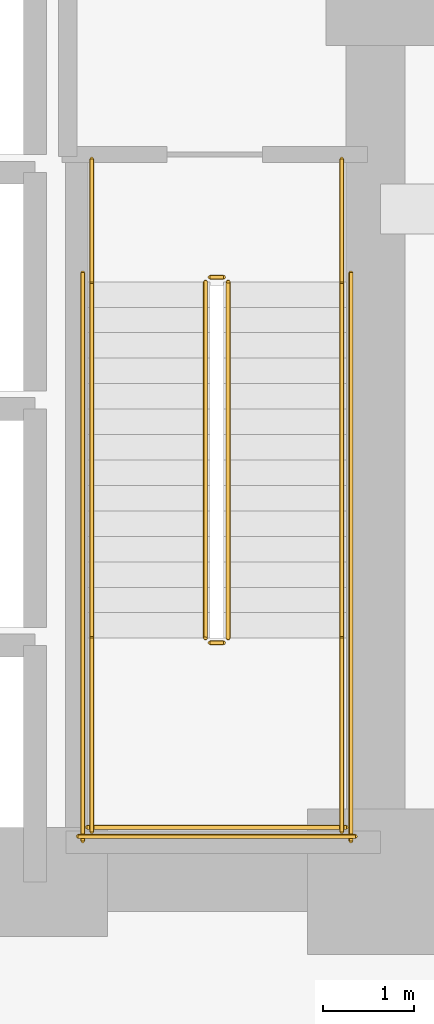
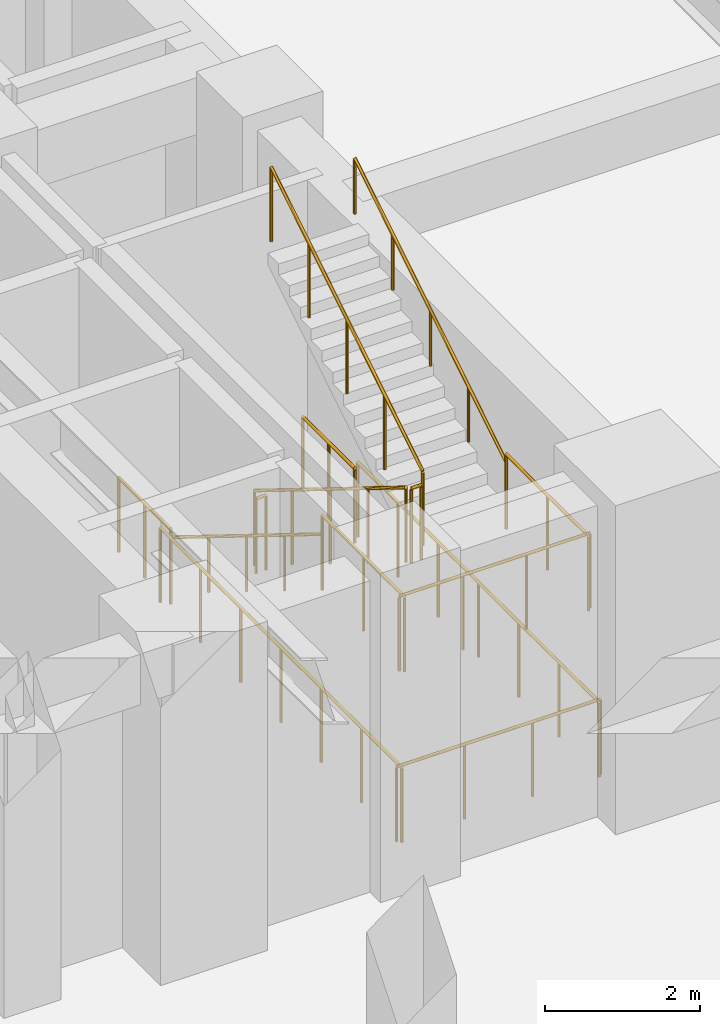
# One storey, part 7 of 7: 14 railings.
"""IFC4 building model written with IfcOpenShell, lengths in metres."""

from ifc_helpers import new_model, si_unit, direction, frame, origin, origin_2d, place, context, subcontext, project, spatial, circle, extrude, material, type_object, element, save


model = new_model("IFC4")

# Units and contexts
model_context = context("Model", 3, precision=1e-05, world=origin(), true_north=direction((0.0, 1.0)))
body_context = subcontext(model_context, "Body", "Model", "MODEL_VIEW")
ifc_project = project(units=[si_unit("LENGTHUNIT", "METRE"), si_unit("AREAUNIT", "SQUARE_METRE"), si_unit("VOLUMEUNIT", "CUBIC_METRE"), si_unit("PLANEANGLEUNIT", "RADIAN"), si_unit("MASSUNIT", "GRAM", prefix="KILO")], contexts=[model_context])

# Site, building, storey
site_placement = place(None, origin())
site = spatial("IfcSite", under=ifc_project, at=site_placement, CompositionType="ELEMENT")
building_placement = place(site_placement, origin())
building = spatial("IfcBuilding", under=site, at=building_placement, Name="Voryun Gate Residences", CompositionType="ELEMENT")
storey_placement = place(building_placement, frame((0.0, 0.0, -5.199951171875)))
storey = spatial("IfcBuildingStorey", under=building, at=storey_placement, Name="B01", CompositionType="ELEMENT", Elevation=-5.199951171875)

# Railings
ifc_material_1 = material(Name="Painted steel", Category="steel")
railing_type_1 = type_object("IfcRailingType", Name="RAIL_STAIR_GUARD_1200", PredefinedType="GUARDRAIL", material=ifc_material_1)
railing_1_placement = place(storey_placement, frame((17.27490234375, -0.800048828125, 0.17333984375)))
element("IfcRailing", 1, at=railing_1_placement, inside=storey, type_object=railing_type_1, Name="B01 ST-E1 stair guard 1", PredefinedType="GUARDRAIL", context=body_context, shape_type="SweptSolid", body=[
    extrude(circle(Radius=0.02392578125, at=origin_2d()), frame((0.0, 0.0, 1.17578125), z_axis=(0.0, -0.850275303828, 0.526338206574), x_axis=(1.0, 0.0, 0.0)), (0.0, 0.0, 1.0), 4.610107421875),
    extrude(circle(Radius=0.02099609375, at=origin_2d()), origin(), (0.0, 0.0, 1.0), 1.15185546875),
    extrude(circle(Radius=0.02099609375, at=origin_2d()), frame((0.0, -0.97998046875, 0.606689453125)), (0.0, 0.0, 1.0), 1.15185546875),
    extrude(circle(Radius=0.02099609375, at=origin_2d()), frame((0.0, -1.9599609375, 1.21337890625)), (0.0, 0.0, 1.0), 1.15185546875),
    extrude(circle(Radius=0.02099609375, at=origin_2d()), frame((0.0, -2.93994140625, 1.81982421875)), (0.0, 0.0, 1.0), 1.15185546875),
    extrude(circle(Radius=0.02099609375, at=origin_2d()), frame((0.0, -3.919921875, 2.426513671875)), (0.0, 0.0, 1.0), 1.15185546875),
])
railing_2_placement = place(storey_placement, frame((17.324951171875, -4.77001953125, 2.599853515625)))
element("IfcRailing", 2, at=railing_2_placement, inside=storey, type_object=railing_type_1, Name="B01 ST-E1 stair guard 2", PredefinedType="GUARDRAIL", context=body_context, shape_type="SweptSolid", body=[
    extrude(circle(Radius=0.02392578125, at=origin_2d()), frame((0.0, 0.0, 1.17578125), z_axis=(1.0, 0.0, 0.0), x_axis=(0.0, 1.0, 0.0)), (0.0, 0.0, 1.0), 0.150146484375),
    extrude(circle(Radius=0.02099609375, at=origin_2d()), origin(), (0.0, 0.0, 1.0), 1.15185546875),
    extrude(circle(Radius=0.02099609375, at=origin_2d()), frame((0.150146484375, 0.0, 0.0)), (0.0, 0.0, 1.0), 1.15185546875),
])
for number, where, name in (
    (3, (16.02490234375, -4.719970703125, 2.599853515625), "B01 ST-E1 stair guard 3"),
    (4, (18.77490234375, -4.719970703125, 2.599853515625), "B01 ST-E1 stair guard 4"),
):
    element("IfcRailing", number, at=place(storey_placement, frame(where)), inside=storey, type_object=railing_type_1, Name=name, PredefinedType="GUARDRAIL", context=body_context, shape_type="SweptSolid", body=[
        extrude(circle(Radius=0.02392578125, at=origin_2d()), frame((0.0, 0.0, 1.17578125), z_axis=(0.0, -1.0, 0.0), x_axis=(1.0, 0.0, 0.0)), (0.0, 0.0, 1.0), 2.130126953125),
        extrude(circle(Radius=0.02099609375, at=origin_2d()), origin(), (0.0, 0.0, 1.0), 1.15185546875),
        extrude(circle(Radius=0.02099609375, at=origin_2d()), frame((0.0, -1.06494140625, 0.0)), (0.0, 0.0, 1.0), 1.15185546875),
        extrude(circle(Radius=0.02099609375, at=origin_2d()), frame((0.0, -2.130126953125, 0.0)), (0.0, 0.0, 1.0), 1.15185546875),
    ])
railing_3_placement = place(storey_placement, frame((15.97509765625, -6.800048828125, 2.599853515625)))
element("IfcRailing", 5, at=railing_3_placement, inside=storey, type_object=railing_type_1, Name="B01 ST-E1 stair guard 5", PredefinedType="GUARDRAIL", context=body_context, shape_type="SweptSolid", body=[
    extrude(circle(Radius=0.02392578125, at=origin_2d()), frame((0.0, 0.0, 1.17578125), z_axis=(1.0, 0.0, 0.0), x_axis=(0.0, 1.0, 0.0)), (0.0, 0.0, 1.0), 2.849853515625),
    extrude(circle(Radius=0.02099609375, at=origin_2d()), origin(), (0.0, 0.0, 1.0), 1.15185546875),
    extrude(circle(Radius=0.02099609375, at=origin_2d()), frame((0.949951171875, 0.0, 0.0)), (0.0, 0.0, 1.0), 1.15185546875),
    extrude(circle(Radius=0.02099609375, at=origin_2d()), frame((1.89990234375, 0.0, 0.0)), (0.0, 0.0, 1.0), 1.15185546875),
    extrude(circle(Radius=0.02099609375, at=origin_2d()), frame((2.849853515625, 0.0, 0.0)), (0.0, 0.0, 1.0), 1.15185546875),
])
railing_4_placement = place(storey_placement, frame((17.52490234375, -4.719970703125, 2.773193359375)))
element("IfcRailing", 6, at=railing_4_placement, inside=storey, type_object=railing_type_1, Name="B01 ST-E1 stair guard 6", PredefinedType="GUARDRAIL", context=body_context, shape_type="SweptSolid", body=[
    extrude(circle(Radius=0.02392578125, at=origin_2d()), frame((0.0, 0.0, 1.17578125), z_axis=(0.0, 0.850251603719, 0.526376491091), x_axis=(-1.0, 0.0, 0.0)), (0.0, 0.0, 1.0), 4.6103515625),
    extrude(circle(Radius=0.02099609375, at=origin_2d()), origin(), (0.0, 0.0, 1.0), 1.15185546875),
    extrude(circle(Radius=0.02099609375, at=origin_2d()), frame((0.0, 0.97998046875, 0.606689453125)), (0.0, 0.0, 1.0), 1.15185546875),
    extrude(circle(Radius=0.02099609375, at=origin_2d()), frame((0.0, 1.9599609375, 1.21337890625)), (0.0, 0.0, 1.0), 1.15185546875),
    extrude(circle(Radius=0.02099609375, at=origin_2d()), frame((0.0, 2.93994140625, 1.820068359375)), (0.0, 0.0, 1.0), 1.15185546875),
    extrude(circle(Radius=0.02099609375, at=origin_2d()), frame((0.0, 3.919921875, 2.4267578125)), (0.0, 0.0, 1.0), 1.15185546875),
])
railing_5_placement = place(storey_placement, frame((17.324951171875, -0.75, 0.0)))
element("IfcRailing", 7, at=railing_5_placement, inside=storey, type_object=railing_type_1, Name="B01 ST-E1 stair guard 7", PredefinedType="GUARDRAIL", context=body_context, shape_type="SweptSolid", body=[
    extrude(circle(Radius=0.02392578125, at=origin_2d()), frame((0.0, 0.0, 1.17578125), z_axis=(1.0, 0.0, 0.0), x_axis=(0.0, 1.0, 0.0)), (0.0, 0.0, 1.0), 0.150146484375),
    extrude(circle(Radius=0.02099609375, at=origin_2d()), origin(), (0.0, 0.0, 1.0), 1.15185546875),
    extrude(circle(Radius=0.02099609375, at=origin_2d()), frame((0.150146484375, 0.0, 0.0)), (0.0, 0.0, 1.0), 1.15185546875),
])
for number, where, name in (
    (8, (16.02490234375, 0.550048828125, 0.0), "B01 ST-E1 stair guard 8"),
    (9, (18.77490234375, 0.550048828125, 0.0), "B01 ST-E1 stair guard 9"),
):
    element("IfcRailing", number, at=place(storey_placement, frame(where)), inside=storey, type_object=railing_type_1, Name=name, PredefinedType="GUARDRAIL", context=body_context, shape_type="SweptSolid", body=[
        extrude(circle(Radius=0.02392578125, at=origin_2d()), frame((0.0, 0.0, 1.17578125), z_axis=(0.0, -1.0, 0.0), x_axis=(1.0, 0.0, 0.0)), (0.0, 0.0, 1.0), 1.35009765625),
        extrude(circle(Radius=0.02099609375, at=origin_2d()), origin(), (0.0, 0.0, 1.0), 1.15185546875),
        extrude(circle(Radius=0.02099609375, at=origin_2d()), frame((0.0, -0.675048828125, 0.0)), (0.0, 0.0, 1.0), 1.15185546875),
        extrude(circle(Radius=0.02099609375, at=origin_2d()), frame((0.0, -1.35009765625, 0.0)), (0.0, 0.0, 1.0), 1.15185546875),
    ])
for number, where, name in (
    (10, (15.925048828125, -0.699951171875, 0.0), "B01 ST-E1 stair guard 10"),
    (11, (18.875, -0.699951171875, 0.0), "B01 ST-E1 stair guard 11"),
):
    element("IfcRailing", number, at=place(storey_placement, frame(where)), inside=storey, type_object=railing_type_1, Name=name, PredefinedType="GUARDRAIL", context=body_context, shape_type="SweptSolid", body=[
        extrude(circle(Radius=0.02392578125, at=origin_2d()), frame((0.0, 0.0, 1.17578125), z_axis=(0.0, -1.0, 0.0), x_axis=(1.0, 0.0, 0.0)), (0.0, 0.0, 1.0), 6.25),
        extrude(circle(Radius=0.02099609375, at=origin_2d()), origin(), (0.0, 0.0, 1.0), 1.15185546875),
        extrude(circle(Radius=0.02099609375, at=origin_2d()), frame((0.0, -1.041748046875, 0.0)), (0.0, 0.0, 1.0), 1.15185546875),
        extrude(circle(Radius=0.02099609375, at=origin_2d()), frame((0.0, -2.083251953125, 0.0)), (0.0, 0.0, 1.0), 1.15185546875),
        extrude(circle(Radius=0.02099609375, at=origin_2d()), frame((0.0, -3.125, 0.0)), (0.0, 0.0, 1.0), 1.15185546875),
        extrude(circle(Radius=0.02099609375, at=origin_2d()), frame((0.0, -4.166748046875, 0.0)), (0.0, 0.0, 1.0), 1.15185546875),
        extrude(circle(Radius=0.02099609375, at=origin_2d()), frame((0.0, -5.208251953125, 0.0)), (0.0, 0.0, 1.0), 1.15185546875),
        extrude(circle(Radius=0.02099609375, at=origin_2d()), frame((0.0, -6.25, 0.0)), (0.0, 0.0, 1.0), 1.15185546875),
    ])
railing_6_placement = place(storey_placement, frame((15.875, -6.89990234375, 0.0)))
element("IfcRailing", 12, at=railing_6_placement, inside=storey, type_object=railing_type_1, Name="B01 ST-E1 stair guard 12", PredefinedType="GUARDRAIL", context=body_context, shape_type="SweptSolid", body=[
    extrude(circle(Radius=0.02392578125, at=origin_2d()), frame((0.0, 0.0, 1.17578125), z_axis=(1.0, 0.0, 0.0), x_axis=(0.0, 1.0, 0.0)), (0.0, 0.0, 1.0), 3.050048828125),
    extrude(circle(Radius=0.02099609375, at=origin_2d()), origin(), (0.0, 0.0, 1.0), 1.15185546875),
    extrude(circle(Radius=0.02099609375, at=origin_2d()), frame((1.0166015625, 0.0, 0.0)), (0.0, 0.0, 1.0), 1.15185546875),
    extrude(circle(Radius=0.02099609375, at=origin_2d()), frame((2.033447265625, 0.0, 0.0)), (0.0, 0.0, 1.0), 1.15185546875),
    extrude(circle(Radius=0.02099609375, at=origin_2d()), frame((3.050048828125, 0.0, 0.0)), (0.0, 0.0, 1.0), 1.15185546875),
])
ifc_material_2 = material(Name="Painted steel", Category="steel")
railing_type_2 = type_object("IfcRailingType", Name="RAIL_STAIR_HANDRAIL_900", PredefinedType="HANDRAIL", material=ifc_material_2)
railing_7_placement = place(storey_placement, frame((16.02490234375, -0.800048828125, 0.17333984375)))
element("IfcRailing", 13, at=railing_7_placement, inside=storey, type_object=railing_type_2, Name="B01 ST-E1 stair handrail 1", PredefinedType="HANDRAIL", context=body_context, shape_type="SweptSolid", body=[
    extrude(circle(Radius=0.02392578125, at=origin_2d()), frame((0.0, 0.0, 0.8759765625), z_axis=(0.0, -0.850275303828, 0.526338206574), x_axis=(1.0, 0.0, 0.0)), (0.0, 0.0, 1.0), 4.610107421875),
    extrude(circle(Radius=0.02099609375, at=origin_2d()), origin(), (0.0, 0.0, 1.0), 0.851806640625),
    extrude(circle(Radius=0.02099609375, at=origin_2d()), frame((0.0, -0.97998046875, 0.606689453125)), (0.0, 0.0, 1.0), 0.851806640625),
    extrude(circle(Radius=0.02099609375, at=origin_2d()), frame((0.0, -1.9599609375, 1.21337890625)), (0.0, 0.0, 1.0), 0.851806640625),
    extrude(circle(Radius=0.02099609375, at=origin_2d()), frame((0.0, -2.93994140625, 1.81982421875)), (0.0, 0.0, 1.0), 0.851806640625),
    extrude(circle(Radius=0.02099609375, at=origin_2d()), frame((0.0, -3.919921875, 2.426513671875)), (0.0, 0.0, 1.0), 0.851806640625),
])
railing_8_placement = place(storey_placement, frame((18.77490234375, -4.719970703125, 2.773193359375)))
element("IfcRailing", 14, at=railing_8_placement, inside=storey, type_object=railing_type_2, Name="B01 ST-E1 stair handrail 2", PredefinedType="HANDRAIL", context=body_context, shape_type="SweptSolid", body=[
    extrude(circle(Radius=0.02392578125, at=origin_2d()), frame((0.0, 0.0, 0.8759765625), z_axis=(0.0, 0.850251603719, 0.526376491091), x_axis=(-1.0, 0.0, 0.0)), (0.0, 0.0, 1.0), 4.6103515625),
    extrude(circle(Radius=0.02099609375, at=origin_2d()), origin(), (0.0, 0.0, 1.0), 0.851806640625),
    extrude(circle(Radius=0.02099609375, at=origin_2d()), frame((0.0, 0.97998046875, 0.606689453125)), (0.0, 0.0, 1.0), 0.851806640625),
    extrude(circle(Radius=0.02099609375, at=origin_2d()), frame((0.0, 1.9599609375, 1.21337890625)), (0.0, 0.0, 1.0), 0.851806640625),
    extrude(circle(Radius=0.02099609375, at=origin_2d()), frame((0.0, 2.93994140625, 1.820068359375)), (0.0, 0.0, 1.0), 0.851806640625),
    extrude(circle(Radius=0.02099609375, at=origin_2d()), frame((0.0, 3.919921875, 2.4267578125)), (0.0, 0.0, 1.0), 0.851806640625),
])

save(model, "model.ifc")
